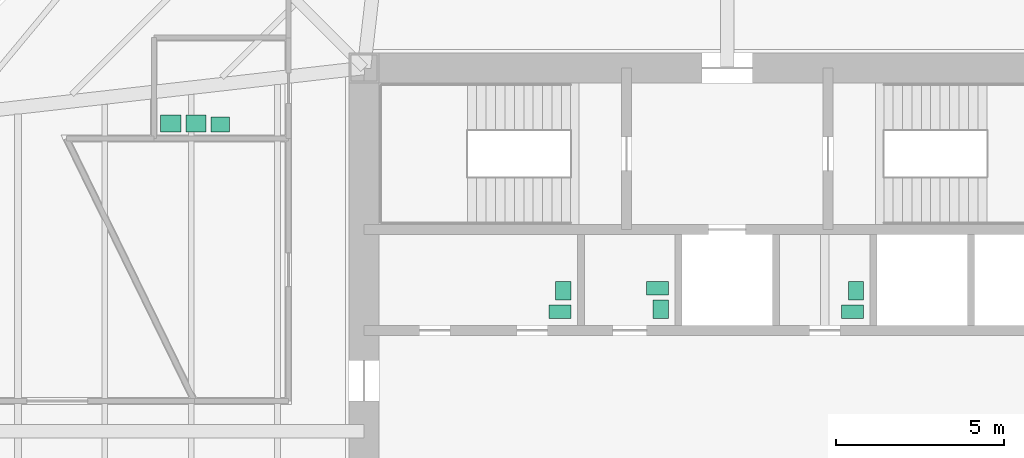
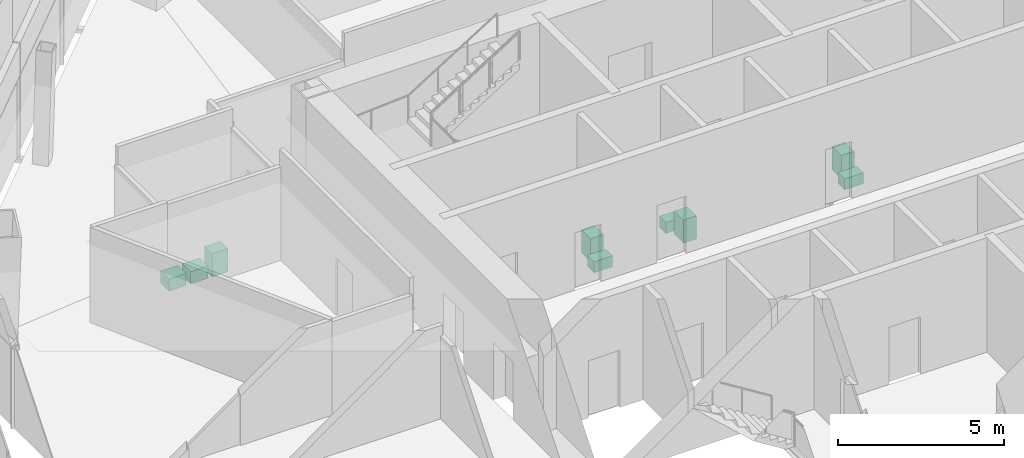
# One storey, part 15 of 15: 9 sanitary terminals.
"""IFC4 building model written with IfcOpenShell, lengths in metres."""

from ifc_helpers import new_model, si_unit, direction, frame, origin, origin_2d, place, context, subcontext, project, spatial, rectangle, extrude, material, type_object, element, save


model = new_model("IFC4")

# Units and contexts
model_context = context("Model", 3, precision=1e-05, world=origin(), true_north=direction((0.0, 1.0)))
body_context = subcontext(model_context, "Body", "Model", "MODEL_VIEW")
ifc_project = project(units=[si_unit("LENGTHUNIT", "METRE"), si_unit("AREAUNIT", "SQUARE_METRE"), si_unit("VOLUMEUNIT", "CUBIC_METRE"), si_unit("PLANEANGLEUNIT", "RADIAN"), si_unit("MASSUNIT", "GRAM", prefix="KILO")], contexts=[model_context])

# Site, building, storey
site_placement = place(None, origin())
site = spatial("IfcSite", under=ifc_project, at=site_placement, CompositionType="ELEMENT")
building_placement = place(site_placement, origin())
building = spatial("IfcBuilding", under=site, at=building_placement, Name="Mashrafa Tower", CompositionType="ELEMENT")
storey_placement = place(building_placement, frame((0.0, 0.0, 126.0)))
storey = spatial("IfcBuildingStorey", under=building, at=storey_placement, Name="L28", CompositionType="ELEMENT", Elevation=126.0)

# Sanitary terminals
ifc_material_1 = material(Name="Stainless steel", Category="steel")
sanitary_terminal_type_1 = type_object("IfcSanitaryTerminalType", Name="Ablution wash station 600 x 500", PredefinedType="WASHHANDBASIN", material=ifc_material_1)
for number, where, z_axis, x_axis, name in (
    (1, (-16.550048828125, 9.14990234375, 0.0), (0.0, 0.0, 1.0), (1.0, 0.0, 0.0), "Ablution wash station Ablution Room L28"),
    (2, (-15.800048828125, 9.14990234375, 0.0), (0.0, 0.0, 1.0), (1.0, 0.0, 0.0), "Ablution wash station Ablution Room L28"),
):
    element("IfcSanitaryTerminal", number, at=place(storey_placement, frame(where, z_axis=z_axis, x_axis=x_axis)), inside=storey, type_object=sanitary_terminal_type_1, Name=name, PredefinedType="WASHHANDBASIN", context=body_context, shape_type="SweptSolid", body=[
        extrude(rectangle(XDim=0.60009765625, YDim=0.5, at=origin_2d()), origin(), (0.0, 0.0, 1.0), 0.449951171875),
    ])
ifc_material_2 = material(Name="Vitreous china")
sanitary_terminal_type_2 = type_object("IfcSanitaryTerminalType", Name="Toilet pan 400 x 650", PredefinedType="TOILETPAN", material=ifc_material_2)
for number, where, z_axis, x_axis, name in (
    (3, (-4.97509765625, 3.550048828125, 0.0), (0.0, 0.0, 1.0), (0.0, 1.0, 0.0), "Toilet pan WC Female L28"),
    (4, (-2.074951171875, 4.25, 0.0), (0.0, 0.0, 1.0), (0.0, 1.0, 0.0), "Toilet pan Accessible WC L28"),
    (5, (3.72509765625, 3.550048828125, 0.0), (0.0, 0.0, 1.0), (0.0, 1.0, 0.0), "Toilet pan WC Male L28"),
):
    element("IfcSanitaryTerminal", number, at=place(storey_placement, frame(where, z_axis=z_axis, x_axis=x_axis)), inside=storey, type_object=sanitary_terminal_type_2, Name=name, PredefinedType="TOILETPAN", context=body_context, shape_type="SweptSolid", body=[
        extrude(rectangle(XDim=0.39990234375, YDim=0.64990234375, at=origin_2d()), origin(), (0.0, 0.0, 1.0), 0.39990234375),
    ])
ifc_material_3 = material(Name="Vitreous china")
sanitary_terminal_type_3 = type_object("IfcSanitaryTerminalType", Name="Wash basin 550 x 450", PredefinedType="WASHHANDBASIN", material=ifc_material_3)
for number, where, z_axis, x_axis, name in (
    (6, (-4.875, 4.175048828125, 0.0), (0.0, 0.0, 1.0), (0.0, 1.0, 0.0), "Wash basin WC Female L28"),
    (7, (-1.97509765625, 3.625, 0.0), (0.0, 0.0, 1.0), (0.0, 1.0, 0.0), "Wash basin Accessible WC L28"),
    (8, (3.824951171875, 4.175048828125, 0.0), (0.0, 0.0, 1.0), (0.0, 1.0, 0.0), "Wash basin WC Male L28"),
    (9, (-15.074951171875, 9.125, 0.0), (0.0, 0.0, 1.0), (1.0, 0.0, 0.0), "Wash basin Ablution Room L28"),
):
    element("IfcSanitaryTerminal", number, at=place(storey_placement, frame(where, z_axis=z_axis, x_axis=x_axis)), inside=storey, type_object=sanitary_terminal_type_3, Name=name, PredefinedType="WASHHANDBASIN", context=body_context, shape_type="SweptSolid", body=[
        extrude(rectangle(XDim=0.550048828125, YDim=0.449951171875, at=origin_2d()), origin(), (0.0, 0.0, 1.0), 0.85009765625),
    ])

save(model, "model.ifc")
